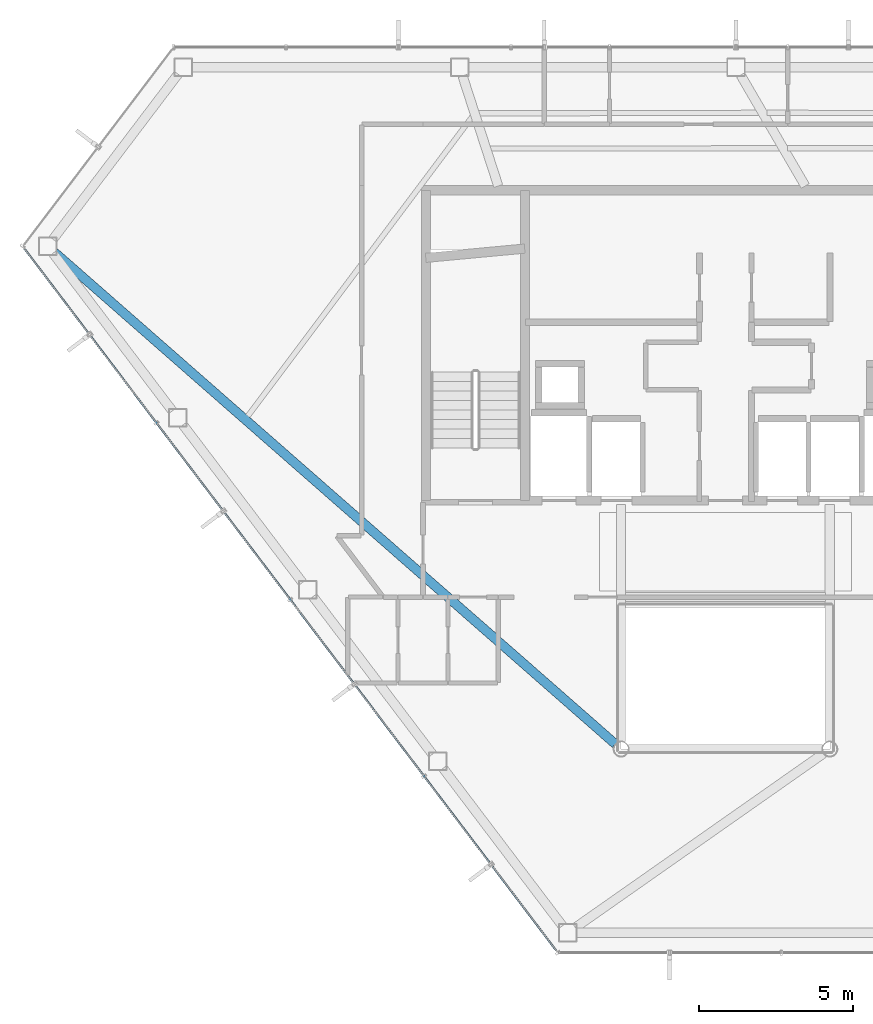
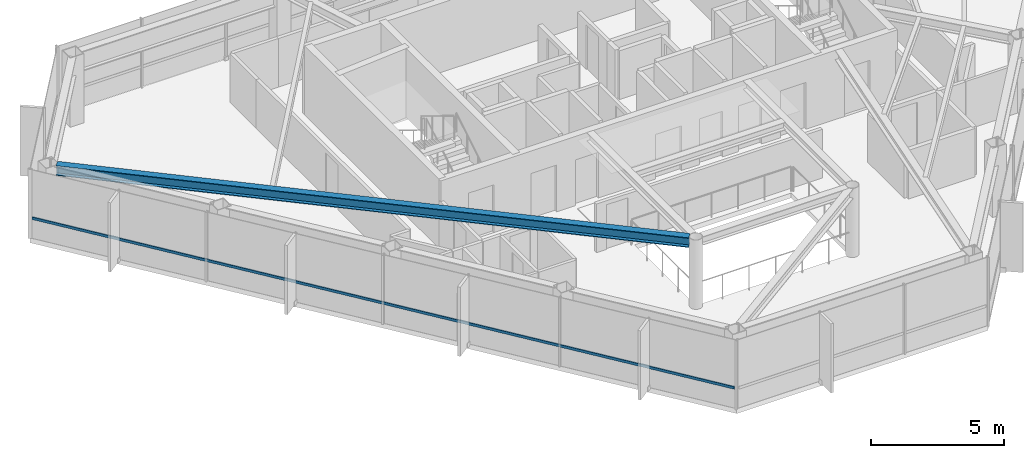
# One storey, part 4 of 25: 1 beam, 1 member, 1 element without a shape of its own.
"""IFC4 building model written with IfcOpenShell, lengths in metres."""

import ifcopenshell
import ifcopenshell.guid

model = None  # the IFC model being written
_history = None  # IfcOwnerHistory: only IFC2X3 demands one
_inside = {}  # id of a spatial element -> (the spatial element, [elements in it])
_under = {}  # id of a project, library or spatial element -> (it, [spatial elements below it])
_declared = {}  # id of a project -> (the project, [libraries it declares])
_typed = {}  # id of a type object -> (the type object, [elements of that type])
_made_of = {}  # id of a material, layer set ... -> (it, [elements and type objects made of it])


def new_model(schema):
    """Start an empty IFC model of exactly this schema.

    Asked for "IFC4X3", IfcOpenShell would pick the latest addendum, in which some entities
    have other attributes; the version numbers below select the first issue.
    IFC2X3 requires an IfcOwnerHistory on every rooted entity: one is made here for all.
    """
    global model, _history
    if schema == "IFC4X3":
        model = ifcopenshell.file(schema_version=(4, 3, 0, 0))
    else:
        model = ifcopenshell.file(schema=schema)
    _inside.clear()
    _under.clear()
    _declared.clear()
    _typed.clear()
    _made_of.clear()
    _history = None
    if model.schema == "IFC2X3":
        org = make("IfcOrganization", Name="unknown")
        user = make(
            "IfcPersonAndOrganization",
            ThePerson=make("IfcPerson", FamilyName="unknown"),
            TheOrganization=org,
        )
        app = make(
            "IfcApplication",
            ApplicationDeveloper=org,
            Version="unknown",
            ApplicationFullName="unknown",
            ApplicationIdentifier="unknown",
        )
        _history = make(
            "IfcOwnerHistory",
            OwningUser=user,
            OwningApplication=app,
            ChangeAction="ADDED",
            CreationDate=0,
        )
    return model


def make(cls, **values):
    """One entity of the class cls with the attributes given. An attribute that is None is left unset."""
    return model.create_entity(
        cls, **{name: value for name, value in values.items() if value is not None}
    )


def rooted(cls, **values):
    """An entity with a GlobalId (a new one), such as an element, a storey or a relation."""
    return make(cls, GlobalId=ifcopenshell.guid.new(), OwnerHistory=_history, **values)


def si_unit(unit_type, name, prefix=None):
    """IfcSIUnit, for example si_unit("LENGTHUNIT", "METRE", prefix="MILLI")."""
    return make("IfcSIUnit", UnitType=unit_type, Prefix=prefix, Name=name)


def assignment(units):
    """IfcUnitAssignment: the units of a project."""
    return None if units is None else make("IfcUnitAssignment", Units=units)


def point(xyz):
    """IfcCartesianPoint."""
    return None if xyz is None else make("IfcCartesianPoint", Coordinates=xyz)


def direction(xyz):
    """IfcDirection."""
    return None if xyz is None else make("IfcDirection", DirectionRatios=xyz)


def frame(location, z_axis=None, x_axis=None):
    """IfcAxis2Placement3D, a coordinate frame: its origin and axes. An axis left out is left unset."""
    return make(
        "IfcAxis2Placement3D",
        Location=point(location),
        Axis=direction(z_axis),
        RefDirection=direction(x_axis),
    )


def frame_2d(location, x_axis=None):
    """IfcAxis2Placement2D, a coordinate frame in the plane: its origin and x axis."""
    return make(
        "IfcAxis2Placement2D", Location=point(location), RefDirection=direction(x_axis)
    )


def origin():
    """The frame at (0, 0, 0) with its axes left unset."""
    return frame((0.0, 0.0, 0.0))


def origin_2d():
    """The frame at (0, 0) in the plane with its x axis left unset."""
    return frame_2d((0.0, 0.0))


def place(relative_to, where):
    """IfcLocalPlacement: puts the frame where relative to a parent placement (None: the world)."""
    return make(
        "IfcLocalPlacement", PlacementRelTo=relative_to, RelativePlacement=where
    )


def context(
    kind, dimensions, precision=None, world=None, true_north=None, identifier=None
):
    """IfcGeometricRepresentationContext, for example the 3D "Model" context."""
    return make(
        "IfcGeometricRepresentationContext",
        ContextIdentifier=identifier,
        ContextType=kind,
        CoordinateSpaceDimension=dimensions,
        Precision=precision,
        WorldCoordinateSystem=world,
        TrueNorth=true_north,
    )


def subcontext(parent, identifier, kind, view, scale=None):
    """IfcGeometricRepresentationSubContext, for example "Body" below "Model"."""
    return make(
        "IfcGeometricRepresentationSubContext",
        ContextIdentifier=identifier,
        ContextType=kind,
        ParentContext=parent,
        TargetScale=scale,
        TargetView=view,
    )


def project(units=None, contexts=None):
    """IfcProject with its units and contexts."""
    return rooted(
        "IfcProject",
        Name="project",
        RepresentationContexts=contexts,
        UnitsInContext=assignment(units),
    )


def spatial(cls, under=None, at=None, **own):
    """A site, building, storey or space (cls), placed at a placement, below another one or the project."""
    s = rooted(cls, ObjectPlacement=at, **own)
    if under is not None:
        _under.setdefault(under.id(), (under, []))[1].append(s)
    return s


def profile(cls, at=None, kind="AREA", **sizes):
    """A parametric profile (cls). Its sizes go by their IFC names, for example OverallWidth=200.0."""
    return make(cls, ProfileType=kind, Position=at, **sizes)


def hollow_rectangle(**sizes):
    """IfcRectangleHollowProfileDef."""
    return profile("IfcRectangleHollowProfileDef", **sizes)


def i_section(**sizes):
    """IfcIShapeProfileDef."""
    return profile("IfcIShapeProfileDef", **sizes)


def extrude(swept, where, along, depth):
    """IfcExtrudedAreaSolid: the profile swept, set in the frame where, extruded along a direction by depth."""
    return make(
        "IfcExtrudedAreaSolid",
        SweptArea=swept,
        Position=where,
        ExtrudedDirection=direction(along),
        Depth=depth,
    )


def shape(context_of_items, identifier, shape_type, items):
    """IfcShapeRepresentation: the items that make up one representation, for example the "Body"."""
    return make(
        "IfcShapeRepresentation",
        ContextOfItems=context_of_items,
        RepresentationIdentifier=identifier,
        RepresentationType=shape_type,
        Items=items,
    )


def material(Name=None, Category=None):
    """IfcMaterial."""
    return make("IfcMaterial", Name=Name, Category=Category)


def layer(
    of_material, thickness, ventilated=None, Name=None, Category=None, Priority=None
):
    """IfcMaterialLayer: one layer of a wall or slab, of a material (None: an air gap)."""
    return make(
        "IfcMaterialLayer",
        Material=of_material,
        LayerThickness=thickness,
        IsVentilated=ventilated,
        Name=Name,
        Category=Category,
        Priority=Priority,
    )


def layer_set(layers, Name=None):
    """IfcMaterialLayerSet."""
    return make("IfcMaterialLayerSet", MaterialLayers=layers, LayerSetName=Name)


def material_profile(
    of_material, cross_section, Name=None, Category=None, Priority=None
):
    """IfcMaterialProfile: a cross section and its material."""
    return make(
        "IfcMaterialProfile",
        Name=Name,
        Material=of_material,
        Profile=cross_section,
        Priority=Priority,
        Category=Category,
    )


def profile_set(profiles, Name=None, composite=None):
    """IfcMaterialProfileSet."""
    return make(
        "IfcMaterialProfileSet",
        Name=Name,
        MaterialProfiles=profiles,
        CompositeProfile=composite,
    )


def made_of(thing, what):
    """Note that an element or type object is made of a material, layer set ...; save() writes the relation."""
    if what is not None:
        _made_of.setdefault(what.id(), (what, []))[1].append(thing)
    return thing


def type_object(cls, material=None, **own):
    """A type object (cls), such as IfcWallType, which elements share."""
    return made_of(rooted(cls, **own), material)


def element(
    cls,
    number,
    at=None,
    inside=None,
    cuts=None,
    type_object=None,
    material=None,
    context=None,
    identifier="Body",
    shape_type=None,
    held_by="IfcProductDefinitionShape",
    body=None,
    shapes=None,
    **own,
):
    """One element of the class cls, such as IfcWall. Its Tag is "e" and its number.

    at: its placement. inside: the storey or other place that contains it. cuts: it is an
    opening in that element (IfcRelVoidsElement). A single representation is given by context,
    identifier, shape_type and body (its items); several are given by shapes. held_by: the class
    of the entity that holds the representations. save() writes the other relations.
    """
    e = rooted(cls, Tag="e%d" % number, ObjectPlacement=at, **own)
    if body is not None:
        shapes = [shape(context, identifier, shape_type, body)]
    if shapes is not None:
        e.Representation = make(held_by, Representations=shapes)
    if inside is not None:
        _inside.setdefault(inside.id(), (inside, []))[1].append(e)
    if cuts is not None:
        rooted(
            "IfcRelVoidsElement", RelatingBuildingElement=cuts, RelatedOpeningElement=e
        )
    if type_object is not None:
        _typed.setdefault(type_object.id(), (type_object, []))[1].append(e)
    return made_of(e, material)


def aggregate(whole, parts):
    """IfcRelAggregates: a whole, such as a stair, and the parts it consists of."""
    return rooted("IfcRelAggregates", RelatingObject=whole, RelatedObjects=parts)


def save(model, path):
    """Write the relations noted so far, then the file.

    IfcRelAggregates (storeys below a building ...), IfcRelContainedInSpatialStructure (elements
    in a storey), IfcRelDefinesByType, IfcRelAssociatesMaterial and IfcRelDeclares: one each for
    every whole, place, type object, material and project.
    """
    for whole, parts in _under.values():
        aggregate(whole, parts)
    for where, things in _inside.values():
        rooted(
            "IfcRelContainedInSpatialStructure",
            RelatedElements=things,
            RelatingStructure=where,
        )
    for kind, things in _typed.values():
        rooted("IfcRelDefinesByType", RelatedObjects=things, RelatingType=kind)
    for what, things in _made_of.values():
        rooted("IfcRelAssociatesMaterial", RelatedObjects=things, RelatingMaterial=what)
    for by, libraries in _declared.values():
        rooted("IfcRelDeclares", RelatingContext=by, RelatedDefinitions=libraries)
    model.write(path)


model = new_model("IFC4")

# Units and contexts
model_context = context("Model", 3, precision=1e-05, world=origin(), true_north=direction((0.0, 1.0)))
body_context = subcontext(model_context, "Body", "Model", "MODEL_VIEW")
ifc_project = project(units=[si_unit("LENGTHUNIT", "METRE"), si_unit("AREAUNIT", "SQUARE_METRE"), si_unit("VOLUMEUNIT", "CUBIC_METRE"), si_unit("PLANEANGLEUNIT", "RADIAN"), si_unit("MASSUNIT", "GRAM", prefix="KILO")], contexts=[model_context])

# Site, building, storey
site_placement = place(None, origin())
site = spatial("IfcSite", under=ifc_project, at=site_placement, CompositionType="ELEMENT")
building_placement = place(site_placement, origin())
building = spatial("IfcBuilding", under=site, at=building_placement, Name="Zarrinselat Tower", CompositionType="ELEMENT")
storey_placement = place(building_placement, frame((0.0, 0.0, 239.360107421875)))
storey = spatial("IfcBuildingStorey", under=building, at=storey_placement, Name="L60", CompositionType="ELEMENT", Elevation=239.360107421875)

# Beam
ifc_material_1 = material(Name="Steel S355J2", Category="steel")
ifc_material_profile_1 = material_profile(ifc_material_1, i_section(OverallWidth=0.300048828125, OverallDepth=0.449951171875, WebThickness=0.013916015625, FlangeThickness=0.02587890625, at=origin_2d()), Name="HEB 450")
ifc_profile_set_1 = profile_set([ifc_material_profile_1], Name="Steel S355J2")
beam_type = type_object("IfcBeamType", Name="BM-HEB450", PredefinedType="BEAM", material=ifc_profile_set_1)
beam_placement = place(storey_placement, frame((16.55029296875, 41.376708984375, 2.954833984375), z_axis=(0.751903784059, -0.659272856651, 0.0), x_axis=(0.659272856651, 0.751903784059, 0.0)))
element("IfcBeam", 1, at=beam_placement, inside=storey, type_object=beam_type, Name="L60 Radial Primary Girder RG06", PredefinedType="BEAM", context=body_context, shape_type="SweptSolid", body=[
    extrude(i_section(OverallWidth=0.300048828125, OverallDepth=0.449951171875, WebThickness=0.013916015625, FlangeThickness=0.02587890625, at=origin_2d()), origin(), (0.0, 0.0, 1.0), 24.287353515625),
])

# Curtain wall, member
ifc_material_2 = material(Name="Extruded Aluminium Alloy EN AW-6063 T6", Category="aluminium")
ifc_layer = layer(ifc_material_2, 0.169921875)
ifc_layer_set = layer_set([ifc_layer], Name="Extruded Aluminium Alloy EN AW-6063 T6")
curtain_wall_type = type_object("IfcCurtainWallType", Name="CWS-RES", PredefinedType="NOTDEFINED", material=ifc_layer_set)
curtain_wall_placement = place(storey_placement, origin())
curtain_wall = element("IfcCurtainWall", 2, at=curtain_wall_placement, inside=storey, type_object=curtain_wall_type, Name="L60 Unitised Curtain Wall CW-L60-E03", PredefinedType="NOTDEFINED")
ifc_material_3 = material(Name="Extruded Aluminium Alloy EN AW-6063 T6", Category="aluminium")
ifc_material_profile_2 = material_profile(ifc_material_3, hollow_rectangle(XDim=0.06005859375, YDim=0.1201171875, WallThickness=0.00390625, at=origin_2d()), Name="RHS 120x60x4")
ifc_profile_set_2 = profile_set([ifc_material_profile_2], Name="Extruded Aluminium Alloy EN AW-6063 T6")
member_type = type_object("IfcMemberType", Name="MEM-CW-TRN2", PredefinedType="USERDEFINED", material=ifc_profile_set_2)
member_placement = place(storey_placement, frame((15.56201171875, 41.50390625, 0.949951171875), z_axis=(0.603860964609, -0.797089665861, 0.0), x_axis=(0.797089665861, 0.603860964609, 0.0)))
member = element("IfcMember", 3, at=member_placement, type_object=member_type, Name="CW-L60-E03 Transom 1", ObjectType="TRANSOM", PredefinedType="USERDEFINED", context=body_context, shape_type="SweptSolid", body=[
    extrude(hollow_rectangle(XDim=0.06005859375, YDim=0.1201171875, WallThickness=0.00390625, at=origin_2d()), origin(), (0.0, 0.0, 1.0), 28.691162109375),
])
aggregate(curtain_wall, [member])

save(model, "model.ifc")
